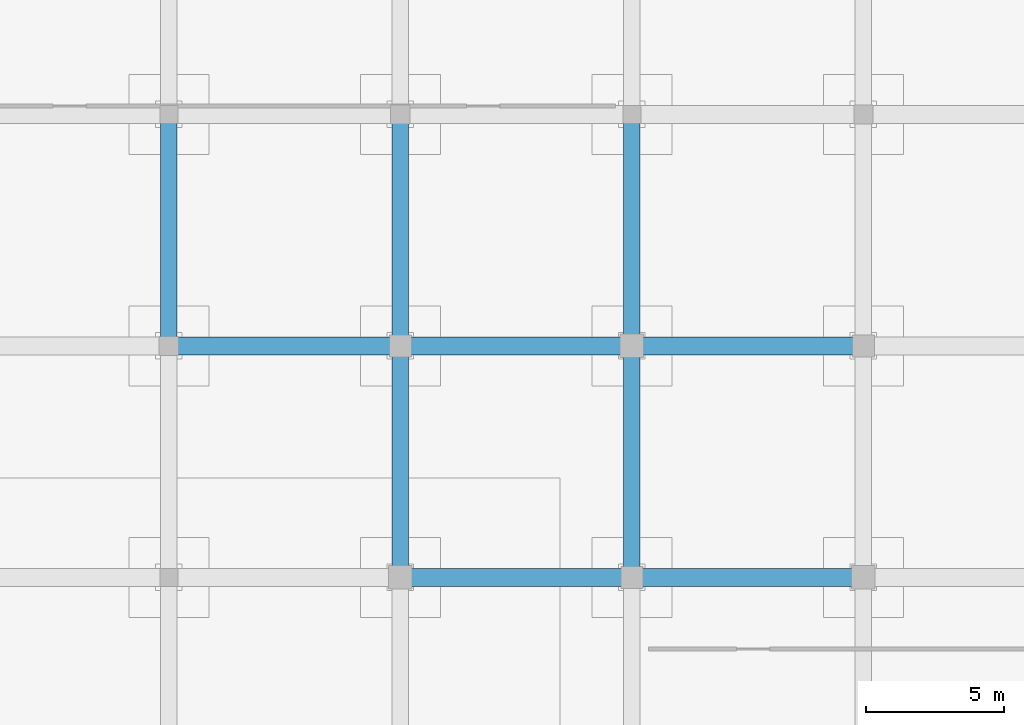
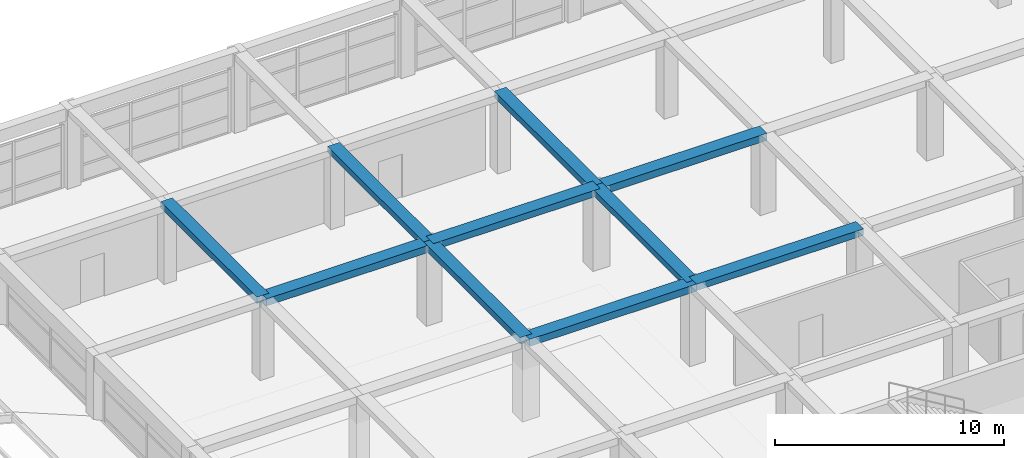
# One storey, part 44 of 85: 10 beams.
"""IFC4 building model written with IfcOpenShell, lengths in metres."""

import ifcopenshell
import ifcopenshell.guid

model = None  # the IFC model being written
_history = None  # IfcOwnerHistory: only IFC2X3 demands one
_inside = {}  # id of a spatial element -> (the spatial element, [elements in it])
_under = {}  # id of a project, library or spatial element -> (it, [spatial elements below it])
_declared = {}  # id of a project -> (the project, [libraries it declares])
_typed = {}  # id of a type object -> (the type object, [elements of that type])
_made_of = {}  # id of a material, layer set ... -> (it, [elements and type objects made of it])


def new_model(schema):
    """Start an empty IFC model of exactly this schema.

    Asked for "IFC4X3", IfcOpenShell would pick the latest addendum, in which some entities
    have other attributes; the version numbers below select the first issue.
    IFC2X3 requires an IfcOwnerHistory on every rooted entity: one is made here for all.
    """
    global model, _history
    if schema == "IFC4X3":
        model = ifcopenshell.file(schema_version=(4, 3, 0, 0))
    else:
        model = ifcopenshell.file(schema=schema)
    _inside.clear()
    _under.clear()
    _declared.clear()
    _typed.clear()
    _made_of.clear()
    _history = None
    if model.schema == "IFC2X3":
        org = make("IfcOrganization", Name="unknown")
        user = make(
            "IfcPersonAndOrganization",
            ThePerson=make("IfcPerson", FamilyName="unknown"),
            TheOrganization=org,
        )
        app = make(
            "IfcApplication",
            ApplicationDeveloper=org,
            Version="unknown",
            ApplicationFullName="unknown",
            ApplicationIdentifier="unknown",
        )
        _history = make(
            "IfcOwnerHistory",
            OwningUser=user,
            OwningApplication=app,
            ChangeAction="ADDED",
            CreationDate=0,
        )
    return model


def make(cls, **values):
    """One entity of the class cls with the attributes given. An attribute that is None is left unset."""
    return model.create_entity(
        cls, **{name: value for name, value in values.items() if value is not None}
    )


def rooted(cls, **values):
    """An entity with a GlobalId (a new one), such as an element, a storey or a relation."""
    return make(cls, GlobalId=ifcopenshell.guid.new(), OwnerHistory=_history, **values)


def si_unit(unit_type, name, prefix=None):
    """IfcSIUnit, for example si_unit("LENGTHUNIT", "METRE", prefix="MILLI")."""
    return make("IfcSIUnit", UnitType=unit_type, Prefix=prefix, Name=name)


def assignment(units):
    """IfcUnitAssignment: the units of a project."""
    return None if units is None else make("IfcUnitAssignment", Units=units)


def point(xyz):
    """IfcCartesianPoint."""
    return None if xyz is None else make("IfcCartesianPoint", Coordinates=xyz)


def direction(xyz):
    """IfcDirection."""
    return None if xyz is None else make("IfcDirection", DirectionRatios=xyz)


def frame(location, z_axis=None, x_axis=None):
    """IfcAxis2Placement3D, a coordinate frame: its origin and axes. An axis left out is left unset."""
    return make(
        "IfcAxis2Placement3D",
        Location=point(location),
        Axis=direction(z_axis),
        RefDirection=direction(x_axis),
    )


def frame_2d(location, x_axis=None):
    """IfcAxis2Placement2D, a coordinate frame in the plane: its origin and x axis."""
    return make(
        "IfcAxis2Placement2D", Location=point(location), RefDirection=direction(x_axis)
    )


def origin():
    """The frame at (0, 0, 0) with its axes left unset."""
    return frame((0.0, 0.0, 0.0))


def origin_2d():
    """The frame at (0, 0) in the plane with its x axis left unset."""
    return frame_2d((0.0, 0.0))


def place(relative_to, where):
    """IfcLocalPlacement: puts the frame where relative to a parent placement (None: the world)."""
    return make(
        "IfcLocalPlacement", PlacementRelTo=relative_to, RelativePlacement=where
    )


def context(
    kind, dimensions, precision=None, world=None, true_north=None, identifier=None
):
    """IfcGeometricRepresentationContext, for example the 3D "Model" context."""
    return make(
        "IfcGeometricRepresentationContext",
        ContextIdentifier=identifier,
        ContextType=kind,
        CoordinateSpaceDimension=dimensions,
        Precision=precision,
        WorldCoordinateSystem=world,
        TrueNorth=true_north,
    )


def subcontext(parent, identifier, kind, view, scale=None):
    """IfcGeometricRepresentationSubContext, for example "Body" below "Model"."""
    return make(
        "IfcGeometricRepresentationSubContext",
        ContextIdentifier=identifier,
        ContextType=kind,
        ParentContext=parent,
        TargetScale=scale,
        TargetView=view,
    )


def project(units=None, contexts=None):
    """IfcProject with its units and contexts."""
    return rooted(
        "IfcProject",
        Name="project",
        RepresentationContexts=contexts,
        UnitsInContext=assignment(units),
    )


def spatial(cls, under=None, at=None, **own):
    """A site, building, storey or space (cls), placed at a placement, below another one or the project."""
    s = rooted(cls, ObjectPlacement=at, **own)
    if under is not None:
        _under.setdefault(under.id(), (under, []))[1].append(s)
    return s


def profile(cls, at=None, kind="AREA", **sizes):
    """A parametric profile (cls). Its sizes go by their IFC names, for example OverallWidth=200.0."""
    return make(cls, ProfileType=kind, Position=at, **sizes)


def rectangle(**sizes):
    """IfcRectangleProfileDef."""
    return profile("IfcRectangleProfileDef", **sizes)


def extrude(swept, where, along, depth):
    """IfcExtrudedAreaSolid: the profile swept, set in the frame where, extruded along a direction by depth."""
    return make(
        "IfcExtrudedAreaSolid",
        SweptArea=swept,
        Position=where,
        ExtrudedDirection=direction(along),
        Depth=depth,
    )


def shape(context_of_items, identifier, shape_type, items):
    """IfcShapeRepresentation: the items that make up one representation, for example the "Body"."""
    return make(
        "IfcShapeRepresentation",
        ContextOfItems=context_of_items,
        RepresentationIdentifier=identifier,
        RepresentationType=shape_type,
        Items=items,
    )


def material(Name=None, Category=None):
    """IfcMaterial."""
    return make("IfcMaterial", Name=Name, Category=Category)


def material_profile(
    of_material, cross_section, Name=None, Category=None, Priority=None
):
    """IfcMaterialProfile: a cross section and its material."""
    return make(
        "IfcMaterialProfile",
        Name=Name,
        Material=of_material,
        Profile=cross_section,
        Priority=Priority,
        Category=Category,
    )


def profile_set(profiles, Name=None, composite=None):
    """IfcMaterialProfileSet."""
    return make(
        "IfcMaterialProfileSet",
        Name=Name,
        MaterialProfiles=profiles,
        CompositeProfile=composite,
    )


def made_of(thing, what):
    """Note that an element or type object is made of a material, layer set ...; save() writes the relation."""
    if what is not None:
        _made_of.setdefault(what.id(), (what, []))[1].append(thing)
    return thing


def type_object(cls, material=None, **own):
    """A type object (cls), such as IfcWallType, which elements share."""
    return made_of(rooted(cls, **own), material)


def element(
    cls,
    number,
    at=None,
    inside=None,
    cuts=None,
    type_object=None,
    material=None,
    context=None,
    identifier="Body",
    shape_type=None,
    held_by="IfcProductDefinitionShape",
    body=None,
    shapes=None,
    **own,
):
    """One element of the class cls, such as IfcWall. Its Tag is "e" and its number.

    at: its placement. inside: the storey or other place that contains it. cuts: it is an
    opening in that element (IfcRelVoidsElement). A single representation is given by context,
    identifier, shape_type and body (its items); several are given by shapes. held_by: the class
    of the entity that holds the representations. save() writes the other relations.
    """
    e = rooted(cls, Tag="e%d" % number, ObjectPlacement=at, **own)
    if body is not None:
        shapes = [shape(context, identifier, shape_type, body)]
    if shapes is not None:
        e.Representation = make(held_by, Representations=shapes)
    if inside is not None:
        _inside.setdefault(inside.id(), (inside, []))[1].append(e)
    if cuts is not None:
        rooted(
            "IfcRelVoidsElement", RelatingBuildingElement=cuts, RelatedOpeningElement=e
        )
    if type_object is not None:
        _typed.setdefault(type_object.id(), (type_object, []))[1].append(e)
    return made_of(e, material)


def aggregate(whole, parts):
    """IfcRelAggregates: a whole, such as a stair, and the parts it consists of."""
    return rooted("IfcRelAggregates", RelatingObject=whole, RelatedObjects=parts)


def save(model, path):
    """Write the relations noted so far, then the file.

    IfcRelAggregates (storeys below a building ...), IfcRelContainedInSpatialStructure (elements
    in a storey), IfcRelDefinesByType, IfcRelAssociatesMaterial and IfcRelDeclares: one each for
    every whole, place, type object, material and project.
    """
    for whole, parts in _under.values():
        aggregate(whole, parts)
    for where, things in _inside.values():
        rooted(
            "IfcRelContainedInSpatialStructure",
            RelatedElements=things,
            RelatingStructure=where,
        )
    for kind, things in _typed.values():
        rooted("IfcRelDefinesByType", RelatedObjects=things, RelatingType=kind)
    for what, things in _made_of.values():
        rooted("IfcRelAssociatesMaterial", RelatedObjects=things, RelatingMaterial=what)
    for by, libraries in _declared.values():
        rooted("IfcRelDeclares", RelatingContext=by, RelatedDefinitions=libraries)
    model.write(path)


model = new_model("IFC4")

# Units and contexts
model_context = context("Model", 3, precision=1e-05, world=origin(), true_north=direction((0.0, 1.0)))
body_context = subcontext(model_context, "Body", "Model", "MODEL_VIEW")
ifc_project = project(units=[si_unit("LENGTHUNIT", "METRE"), si_unit("AREAUNIT", "SQUARE_METRE"), si_unit("VOLUMEUNIT", "CUBIC_METRE"), si_unit("PLANEANGLEUNIT", "RADIAN"), si_unit("MASSUNIT", "GRAM", prefix="KILO")], contexts=[model_context])

# Site, building, storey
site_placement = place(None, origin())
site = spatial("IfcSite", under=ifc_project, at=site_placement, CompositionType="ELEMENT")
building_placement = place(site_placement, origin())
building = spatial("IfcBuilding", under=site, at=building_placement, Name="Almacenes y Pasaje Nevantli", CompositionType="ELEMENT")
storey_placement = place(building_placement, frame((0.0, 0.0, 22.199951171875)))
storey = spatial("IfcBuildingStorey", under=building, at=storey_placement, Name="L05", CompositionType="ELEMENT", Elevation=22.199951171875)

# Beams
ifc_material_1 = material(Name="Concrete C35/45", Category="concrete")
ifc_material_profile_1 = material_profile(ifc_material_1, rectangle(XDim=0.60009765625, YDim=0.320068359375, at=origin_2d()), Name="RC-BM-600x320")
ifc_profile_set_1 = profile_set([ifc_material_profile_1], Name="Concrete C35/45")
beam_type_1 = type_object("IfcBeamType", Name="BM-RC-600x320", PredefinedType="BEAM", material=ifc_profile_set_1)
beam_1_placement = place(storey_placement, frame((109.199951171875, 100.800048828125, 4.06005859375), z_axis=(0.0, 1.0, 0.0), x_axis=(-1.0, 0.0, 0.0)))
element("IfcBeam", 1, at=beam_1_placement, inside=storey, type_object=beam_type_1, Name="L05 North-South Reinforced Concrete Beam #3502", PredefinedType="BEAM", context=body_context, shape_type="SweptSolid", body=[
    extrude(rectangle(XDim=0.60009765625, YDim=0.320068359375, at=origin_2d()), origin(), (0.0, 0.0, 1.0), 8.39990234375),
])
beam_2_placement = place(storey_placement, frame((117.60009765625, 92.39990234375, 4.06005859375), z_axis=(0.0, 1.0, 0.0), x_axis=(-1.0, 0.0, 0.0)))
element("IfcBeam", 2, at=beam_2_placement, inside=storey, type_object=beam_type_1, Name="L05 North-South Reinforced Concrete Beam #3510", PredefinedType="BEAM", context=body_context, shape_type="SweptSolid", body=[
    extrude(rectangle(XDim=0.60009765625, YDim=0.320068359375, at=origin_2d()), origin(), (0.0, 0.0, 1.0), 8.400146484375),
])
ifc_material_2 = material(Name="Concrete C35/45", Category="concrete")
ifc_material_profile_2 = material_profile(ifc_material_2, rectangle(XDim=0.60009765625, YDim=0.340087890625, at=origin_2d()), Name="RC-BM-600x340")
ifc_profile_set_2 = profile_set([ifc_material_profile_2], Name="Concrete C35/45")
beam_type_2 = type_object("IfcBeamType", Name="BM-RC-600x340", PredefinedType="BEAM", material=ifc_profile_set_2)
beam_3_placement = place(storey_placement, frame((100.800048828125, 100.800048828125, 4.050048828125), z_axis=(0.0, 1.0, 0.0), x_axis=(-1.0, 0.0, 0.0)))
element("IfcBeam", 3, at=beam_3_placement, inside=storey, type_object=beam_type_2, Name="L05 North-South Reinforced Concrete Beam #3489", PredefinedType="BEAM", context=body_context, shape_type="SweptSolid", body=[
    extrude(rectangle(XDim=0.60009765625, YDim=0.340087890625, at=origin_2d()), origin(), (0.0, 0.0, 1.0), 8.39990234375),
])
beam_4_placement = place(storey_placement, frame((109.199951171875, 92.39990234375, 4.050048828125), z_axis=(0.0, 1.0, 0.0), x_axis=(-1.0, 0.0, 0.0)))
element("IfcBeam", 4, at=beam_4_placement, inside=storey, type_object=beam_type_2, Name="L05 North-South Reinforced Concrete Beam #3501", PredefinedType="BEAM", context=body_context, shape_type="SweptSolid", body=[
    extrude(rectangle(XDim=0.60009765625, YDim=0.340087890625, at=origin_2d()), origin(), (0.0, 0.0, 1.0), 8.400146484375),
])
beam_5_placement = place(storey_placement, frame((117.60009765625, 100.800048828125, 4.050048828125), z_axis=(0.0, 1.0, 0.0), x_axis=(-1.0, 0.0, 0.0)))
element("IfcBeam", 5, at=beam_5_placement, inside=storey, type_object=beam_type_2, Name="L05 North-South Reinforced Concrete Beam #3511", PredefinedType="BEAM", context=body_context, shape_type="SweptSolid", body=[
    extrude(rectangle(XDim=0.60009765625, YDim=0.340087890625, at=origin_2d()), origin(), (0.0, 0.0, 1.0), 8.39990234375),
])
ifc_material_3 = material(Name="Concrete C35/45", Category="concrete")
ifc_material_profile_3 = material_profile(ifc_material_3, rectangle(XDim=0.64990234375, YDim=0.35009765625, at=origin_2d()), Name="RC-BM-650x350")
ifc_profile_set_3 = profile_set([ifc_material_profile_3], Name="Concrete C35/45")
beam_type_3 = type_object("IfcBeamType", Name="BM-RC-650x350", PredefinedType="BEAM", material=ifc_profile_set_3)
beam_6_placement = place(storey_placement, frame((117.60009765625, 92.39990234375, 4.045166015625), z_axis=(1.0, 0.0, 0.0), x_axis=(0.0, 1.0, 0.0)))
element("IfcBeam", 6, at=beam_6_placement, inside=storey, type_object=beam_type_3, Name="L05 East-West Reinforced Concrete Beam #3365", PredefinedType="BEAM", context=body_context, shape_type="SweptSolid", body=[
    extrude(rectangle(XDim=0.64990234375, YDim=0.35009765625, at=origin_2d()), origin(), (0.0, 0.0, 1.0), 8.39990234375),
])
beam_7_placement = place(storey_placement, frame((109.199951171875, 100.800048828125, 4.045166015625), z_axis=(1.0, 0.0, 0.0), x_axis=(0.0, 1.0, 0.0)))
element("IfcBeam", 7, at=beam_7_placement, inside=storey, type_object=beam_type_3, Name="L05 East-West Reinforced Concrete Beam #3381", PredefinedType="BEAM", context=body_context, shape_type="SweptSolid", body=[
    extrude(rectangle(XDim=0.64990234375, YDim=0.35009765625, at=origin_2d()), origin(), (0.0, 0.0, 1.0), 8.400146484375),
])
ifc_material_4 = material(Name="Concrete C35/45", Category="concrete")
ifc_material_profile_4 = material_profile(ifc_material_4, rectangle(XDim=0.64990234375, YDim=0.3798828125, at=origin_2d()), Name="RC-BM-650x380")
ifc_profile_set_4 = profile_set([ifc_material_profile_4], Name="Concrete C35/45")
beam_type_4 = type_object("IfcBeamType", Name="BM-RC-650x380", PredefinedType="BEAM", material=ifc_profile_set_4)
beam_8_placement = place(storey_placement, frame((109.199951171875, 92.39990234375, 4.030029296875), z_axis=(1.0, 0.0, 0.0), x_axis=(0.0, 1.0, 0.0)))
element("IfcBeam", 8, at=beam_8_placement, inside=storey, type_object=beam_type_4, Name="L05 East-West Reinforced Concrete Beam #3364", PredefinedType="BEAM", context=body_context, shape_type="SweptSolid", body=[
    extrude(rectangle(XDim=0.64990234375, YDim=0.3798828125, at=origin_2d()), origin(), (0.0, 0.0, 1.0), 8.400146484375),
])
for number, where, z_axis, x_axis, name in (
    (9, (100.800048828125, 100.800048828125, 4.030029296875), (1.0, 0.0, 0.0), (0.0, 1.0, 0.0), "L05 East-West Reinforced Concrete Beam #3380"),
    (10, (117.60009765625, 100.800048828125, 4.030029296875), (1.0, 0.0, 0.0), (0.0, 1.0, 0.0), "L05 East-West Reinforced Concrete Beam #3382"),
):
    element("IfcBeam", number, at=place(storey_placement, frame(where, z_axis=z_axis, x_axis=x_axis)), inside=storey, type_object=beam_type_4, Name=name, PredefinedType="BEAM", context=body_context, shape_type="SweptSolid", body=[
        extrude(rectangle(XDim=0.64990234375, YDim=0.3798828125, at=origin_2d()), origin(), (0.0, 0.0, 1.0), 8.39990234375),
    ])

save(model, "model.ifc")
